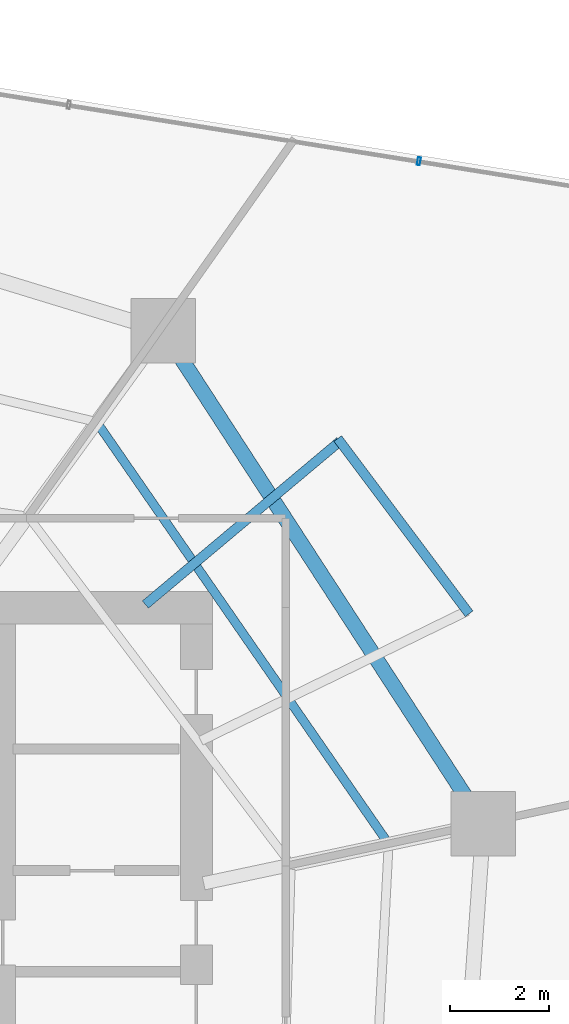
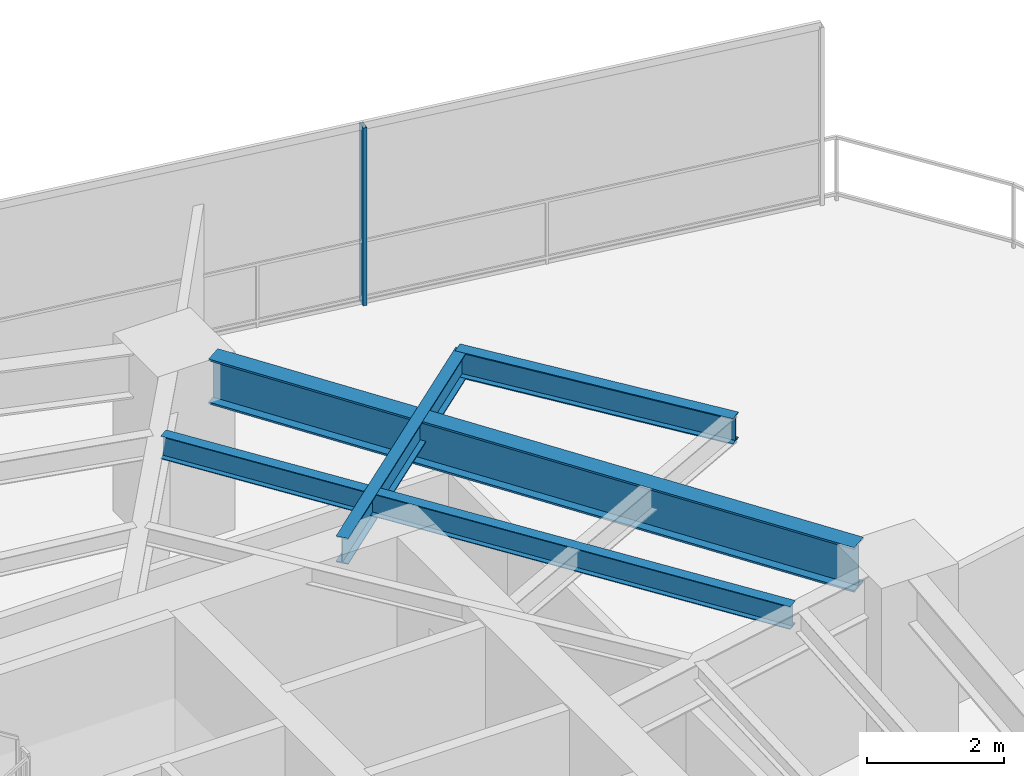
# One storey, part 22 of 31: 4 beams, 1 member, 1 element without a shape of its own.
"""IFC4 building model written with IfcOpenShell, lengths in metres."""

from ifc_helpers import new_model, si_unit, direction, frame, origin, origin_2d, place, context, subcontext, project, spatial, hollow_rectangle, i_section, extrude, material, layer, layer_set, material_profile, profile_set, type_object, element, aggregate, save


model = new_model("IFC4")

# Units and contexts
model_context = context("Model", 3, precision=1e-05, world=origin(), true_north=direction((0.0, 1.0)))
body_context = subcontext(model_context, "Body", "Model", "MODEL_VIEW")
ifc_project = project(units=[si_unit("LENGTHUNIT", "METRE"), si_unit("AREAUNIT", "SQUARE_METRE"), si_unit("VOLUMEUNIT", "CUBIC_METRE"), si_unit("PLANEANGLEUNIT", "RADIAN"), si_unit("MASSUNIT", "GRAM", prefix="KILO")], contexts=[model_context])

# Site, building, storey
site_placement = place(None, origin())
site = spatial("IfcSite", under=ifc_project, at=site_placement, CompositionType="ELEMENT")
building_placement = place(site_placement, origin())
building = spatial("IfcBuilding", under=site, at=building_placement, Name="Qarnah Convention Tower", CompositionType="ELEMENT")
storey_placement = place(building_placement, frame((0.0, 0.0, 33.89990234375)))
storey = spatial("IfcBuildingStorey", under=building, at=storey_placement, Name="L07", CompositionType="ELEMENT", Elevation=33.89990234375)

# Beams
ifc_material_1 = material(Name="Structural steel S355JR", Category="steel")
ifc_material_profile_1 = material_profile(ifc_material_1, i_section(OverallWidth=0.19189453125, OverallDepth=0.464111328125, WebThickness=0.010986328125, FlangeThickness=0.01806640625, at=origin_2d()), Name="W460X89")
ifc_profile_set_1 = profile_set([ifc_material_profile_1], Name="Structural steel S355JR")
beam_type_1 = type_object("IfcBeamType", Name="BM-CANT-W460A", PredefinedType="BEAM", material=ifc_profile_set_1)
beam_1_placement = place(storey_placement, frame((46.572021484375, 34.263916015625, 2.93798828125), z_axis=(0.765964185984, 0.64288324429, 0.0), x_axis=(-0.64288324429, 0.765964185984, 0.0)))
element("IfcBeam", 1, at=beam_1_placement, inside=storey, type_object=beam_type_1, Name="L07 beam BM-L07-CNT-01-2", PredefinedType="BEAM", context=body_context, shape_type="SweptSolid", body=[
    extrude(i_section(OverallWidth=0.19189453125, OverallDepth=0.464111328125, WebThickness=0.010986328125, FlangeThickness=0.01806640625, at=origin_2d()), origin(), (0.0, 0.0, 1.0), 5.11767578125),
])
beam_2_placement = place(storey_placement, frame((53.10107421875, 34.077880859375, 2.93798828125), z_axis=(-0.600282994859, 0.799787675626, 0.0), x_axis=(-0.799787675626, -0.600282994859, 0.0)))
element("IfcBeam", 2, at=beam_2_placement, inside=storey, type_object=beam_type_1, Name="L07 spandrel BM-L07-CTIE-01", PredefinedType="SPANDREL", context=body_context, shape_type="SweptSolid", body=[
    extrude(i_section(OverallWidth=0.19189453125, OverallDepth=0.464111328125, WebThickness=0.010986328125, FlangeThickness=0.01806640625, at=origin_2d()), origin(), (0.0, 0.0, 1.0), 4.41650390625),
])
ifc_material_profile_2 = material_profile(ifc_material_1, i_section(OverallWidth=0.177978515625, OverallDepth=0.407958984375, WebThickness=0.008056640625, FlangeThickness=0.012939453125, at=origin_2d()), Name="W410X60")
ifc_profile_set_2 = profile_set([ifc_material_profile_2], Name="Structural steel S355JR")
beam_type_2 = type_object("IfcBeamType", Name="BM-JST-W410", PredefinedType="JOIST", material=ifc_profile_set_2)
beam_3_placement = place(storey_placement, frame((51.427001953125, 29.509033203125, 2.966064453125), z_axis=(-0.569141318833, 0.822239721248, 0.0), x_axis=(-0.822239721248, -0.569141318833, 0.0)))
element("IfcBeam", 3, at=beam_3_placement, inside=storey, type_object=beam_type_2, Name="L07 joist BM-L07-SJST-01", PredefinedType="JOIST", context=body_context, shape_type="SweptSolid", body=[
    extrude(i_section(OverallWidth=0.177978515625, OverallDepth=0.407958984375, WebThickness=0.008056640625, FlangeThickness=0.012939453125, at=origin_2d()), origin(), (0.0, 0.0, 1.0), 10.169921875),
])
ifc_material_profile_3 = material_profile(ifc_material_1, i_section(OverallWidth=0.300048828125, OverallDepth=0.800048828125, WebThickness=0.01806640625, FlangeThickness=0.032958984375, at=origin_2d()), Name="HEB800")
ifc_profile_set_3 = profile_set([ifc_material_profile_3], Name="Structural steel S355JR")
beam_type_3 = type_object("IfcBeamType", Name="BM-RING-HEB800", PredefinedType="BEAM", material=ifc_profile_set_3)
beam_4_placement = place(storey_placement, frame((53.0390625, 30.3779296875, 2.77001953125), z_axis=(-0.544579515688, 0.838709217246, 0.0), x_axis=(-0.838709217246, -0.544579515688, 0.0)))
element("IfcBeam", 4, at=beam_4_placement, inside=storey, type_object=beam_type_3, Name="L07 beam BM-L07-SPN-01", PredefinedType="BEAM", context=body_context, shape_type="SweptSolid", body=[
    extrude(i_section(OverallWidth=0.300048828125, OverallDepth=0.800048828125, WebThickness=0.01806640625, FlangeThickness=0.032958984375, at=origin_2d()), origin(), (0.0, 0.0, 1.0), 10.58056640625),
])

# Curtain wall, member
ifc_material_2 = material(Name="Tempered Low-E dark glass", Category="glass")
ifc_layer = layer(ifc_material_2, 0.16796875)
ifc_layer_set = layer_set([ifc_layer], Name="Tempered Low-E dark glass")
curtain_wall_type = type_object("IfcCurtainWallType", Name="CWS-01", PredefinedType="NOTDEFINED", material=ifc_layer_set)
curtain_wall_placement = place(storey_placement, origin())
curtain_wall = element("IfcCurtainWall", 5, at=curtain_wall_placement, inside=storey, type_object=curtain_wall_type, Name="L07 unitised curtain wall CW-L07-F1", PredefinedType="NOTDEFINED")
ifc_material_3 = material(Name="Black anodised aluminium", Category="aluminium")
ifc_material_profile_4 = material_profile(ifc_material_3, hollow_rectangle(XDim=0.06005859375, YDim=0.159912109375, WallThickness=0.00390625, at=origin_2d()), Name="MUL-60X160")
ifc_profile_set_4 = profile_set([ifc_material_profile_4], Name="Black anodised aluminium")
member_type = type_object("IfcMemberType", Name="MUL-T1", PredefinedType="MULLION", material=ifc_profile_set_4)
member_placement = place(storey_placement, frame((52.087158203125, 43.201904296875, 0.0), z_axis=(0.0, 0.0, 1.0), x_axis=(0.987358613708, -0.15850226477, 0.0)))
member = element("IfcMember", 6, at=member_placement, type_object=member_type, Name="CW-L07-F1 mullion 5", PredefinedType="MULLION", context=body_context, shape_type="SweptSolid", body=[
    extrude(hollow_rectangle(XDim=0.06005859375, YDim=0.159912109375, WallThickness=0.00390625, at=origin_2d()), origin(), (0.0, 0.0, 1.0), 3.170166015625),
])
aggregate(curtain_wall, [member])

save(model, "model.ifc")
